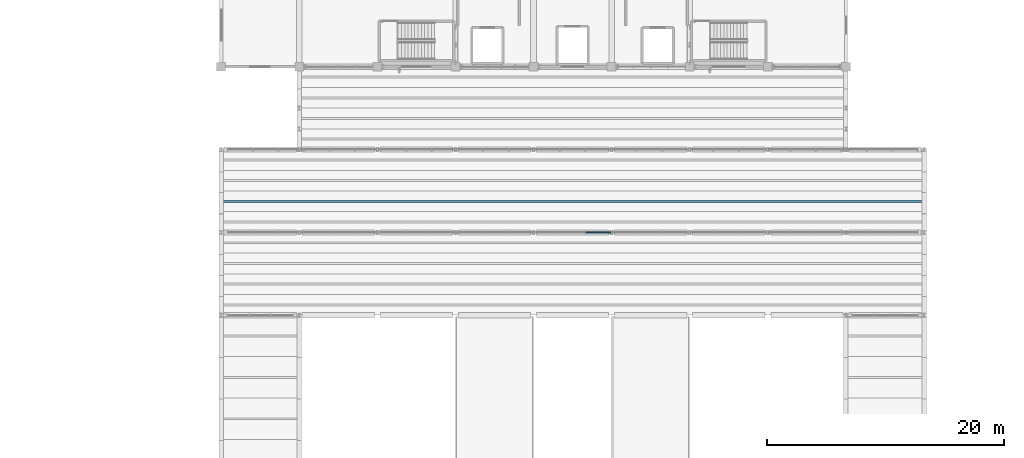
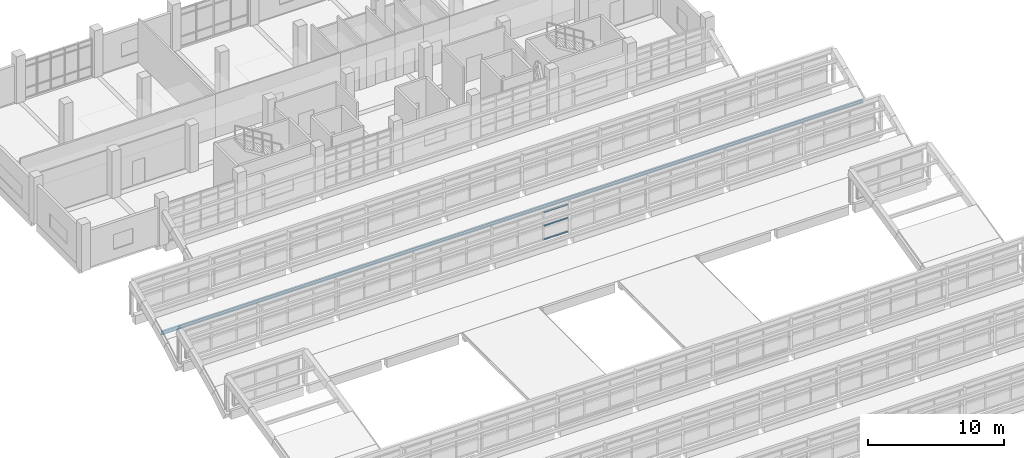
# One storey, part 45 of 92: 4 members, 1 element without a shape of its own.
"""IFC4 building model written with IfcOpenShell, lengths in metres."""

from ifc_helpers import new_model, si_unit, direction, frame, origin, origin_2d, place, context, subcontext, project, spatial, rectangle, i_section, extrude, material, material_profile, profile_set, type_object, element, aggregate, save


model = new_model("IFC4")

# Units and contexts
model_context = context("Model", 3, precision=1e-05, world=origin(), true_north=direction((0.0, 1.0)))
body_context = subcontext(model_context, "Body", "Model", "MODEL_VIEW")
ifc_project = project(units=[si_unit("LENGTHUNIT", "METRE"), si_unit("AREAUNIT", "SQUARE_METRE"), si_unit("VOLUMEUNIT", "CUBIC_METRE"), si_unit("PLANEANGLEUNIT", "RADIAN"), si_unit("MASSUNIT", "GRAM", prefix="KILO")], contexts=[model_context])

# Site, building, storey
site_placement = place(None, origin())
site = spatial("IfcSite", under=ifc_project, at=site_placement, CompositionType="ELEMENT")
building_placement = place(site_placement, origin())
building = spatial("IfcBuilding", under=site, at=building_placement, Name="Ciguamira Faculty of Natural Sciences", CompositionType="ELEMENT")
storey_placement = place(building_placement, frame((0.0, 0.0, 16.800048828125)))
storey = spatial("IfcBuildingStorey", under=building, at=storey_placement, Name="L04", CompositionType="ELEMENT", Elevation=16.800048828125)

# Curtain wall, members
ifc_material_1 = material(Name="Anodized aluminium curtain wall", Category="aluminium")
curtain_wall_type = type_object("IfcCurtainWallType", Name="CurtainWall_CW-07", PredefinedType="USERDEFINED", material=ifc_material_1)
curtain_wall_placement = place(storey_placement, origin())
curtain_wall = element("IfcCurtainWall", 1, at=curtain_wall_placement, inside=storey, type_object=curtain_wall_type, Name="V4 north-light wave 5 clerestory glazing 1", ObjectType="UNITISED CURTAIN WALL", PredefinedType="USERDEFINED")
ifc_material_2 = material(Name="Anodized aluminium transom", Category="aluminium")
ifc_material_profile_1 = material_profile(ifc_material_2, rectangle(XDim=0.070068359375, YDim=0.139892578125, at=origin_2d()), Name="ALU-TRN-70X140")
ifc_profile_set_1 = profile_set([ifc_material_profile_1], Name="Anodized aluminium transom")
member_type_1 = type_object("IfcMemberType", Name="CWTransom_CWT-02", PredefinedType="USERDEFINED", material=ifc_profile_set_1)
member_1_placement = place(storey_placement, frame((88.116455078125, 80.0, 0.284912109375), z_axis=(1.0, 0.0, 0.0), x_axis=(0.0, 0.0, 1.0)))
member_1 = element("IfcMember", 2, at=member_1_placement, type_object=member_type_1, Name="CW-07 transom 15.1", ObjectType="TRANSOM", PredefinedType="USERDEFINED", context=body_context, shape_type="SweptSolid", body=[
    extrude(rectangle(XDim=0.070068359375, YDim=0.139892578125, at=origin_2d()), origin(), (0.0, 0.0, 1.0), 2.093017578125),
])
member_2_placement = place(storey_placement, frame((88.116455078125, 80.0, 1.5), z_axis=(1.0, 0.0, 0.0), x_axis=(0.0, 0.0, 1.0)))
member_2 = element("IfcMember", 3, at=member_2_placement, type_object=member_type_1, Name="CW-07 transom 15.2", ObjectType="TRANSOM", PredefinedType="USERDEFINED", context=body_context, shape_type="SweptSolid", body=[
    extrude(rectangle(XDim=0.070068359375, YDim=0.139892578125, at=origin_2d()), origin(), (0.0, 0.0, 1.0), 2.093017578125),
])
member_3_placement = place(storey_placement, frame((88.116455078125, 80.0, 2.71484375), z_axis=(1.0, 0.0, 0.0), x_axis=(0.0, 0.0, 1.0)))
member_3 = element("IfcMember", 4, at=member_3_placement, type_object=member_type_1, Name="CW-07 transom 15.3", ObjectType="TRANSOM", PredefinedType="USERDEFINED", context=body_context, shape_type="SweptSolid", body=[
    extrude(rectangle(XDim=0.070068359375, YDim=0.139892578125, at=origin_2d()), origin(), (0.0, 0.0, 1.0), 2.093017578125),
])
aggregate(curtain_wall, [member_1, member_2, member_3])

# Member
ifc_material_3 = material(Name="Steel ASTM A992 Grade 50", Category="steel")
ifc_material_profile_2 = material_profile(ifc_material_3, i_section(OverallWidth=0.164794921875, OverallDepth=0.309814453125, WebThickness=0.005859375, FlangeThickness=0.009765625, at=origin_2d()), Name="W12X26")
ifc_profile_set_2 = profile_set([ifc_material_profile_2], Name="Steel ASTM A992 Grade 50")
member_type_2 = type_object("IfcMemberType", Name="SteelMember_PR-02_W12X26", PredefinedType="PURLIN", material=ifc_profile_set_2)
member_4_placement = place(storey_placement, frame((57.300048828125, 82.625, 1.091552734375), z_axis=(1.0, 0.0, 0.0), x_axis=(0.0, 1.0, 0.0)))
element("IfcMember", 5, at=member_4_placement, inside=storey, type_object=member_type_2, Name="V4 wave roof steel purlin 6-1-2", PredefinedType="PURLIN", context=body_context, shape_type="SweptSolid", body=[
    extrude(i_section(OverallWidth=0.164794921875, OverallDepth=0.309814453125, WebThickness=0.005859375, FlangeThickness=0.009765625, at=origin_2d()), origin(), (0.0, 0.0, 1.0), 59.39990234375),
])

save(model, "model.ifc")
